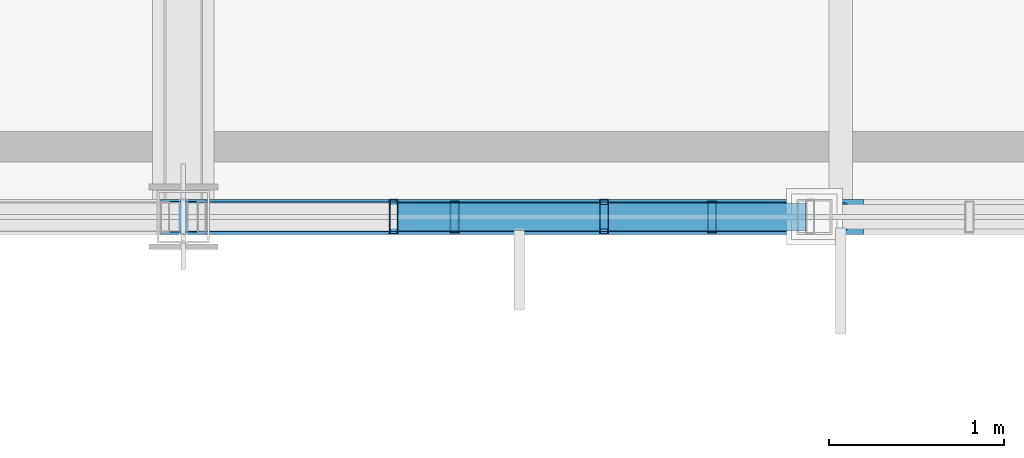
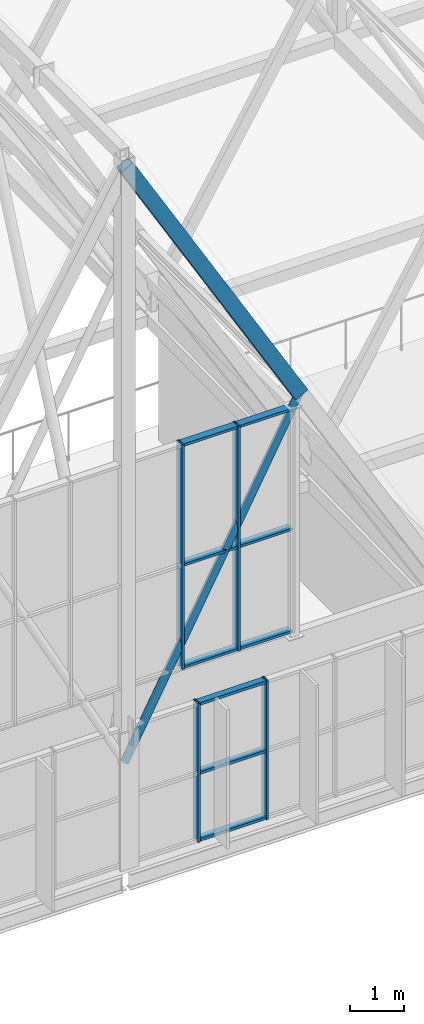
# One storey, part 136 of 324: 15 members, 2 elements without a shape of their own.
"""IFC4 building model written with IfcOpenShell, lengths in metres."""

from ifc_helpers import new_model, si_unit, direction, frame, origin, origin_2d, place, context, subcontext, project, spatial, hollow_rectangle, hollow_circle, extrude, material, layer, layer_set, material_profile, profile_set, type_object, element, aggregate, save


model = new_model("IFC4")

# Units and contexts
model_context = context("Model", 3, precision=1e-05, world=origin(), true_north=direction((0.0, 1.0)))
body_context = subcontext(model_context, "Body", "Model", "MODEL_VIEW")
ifc_project = project(units=[si_unit("LENGTHUNIT", "METRE"), si_unit("AREAUNIT", "SQUARE_METRE"), si_unit("VOLUMEUNIT", "CUBIC_METRE"), si_unit("PLANEANGLEUNIT", "RADIAN"), si_unit("MASSUNIT", "GRAM", prefix="KILO")], contexts=[model_context])

# Site, building, storey
site_placement = place(None, origin())
site = spatial("IfcSite", under=ifc_project, at=site_placement, CompositionType="ELEMENT")
building_placement = place(site_placement, origin())
building = spatial("IfcBuilding", under=site, at=building_placement, Name="Solvenia Promenade Tram Depot", CompositionType="ELEMENT")
storey_placement = place(building_placement, frame((0.0, 0.0, 4.5)))
storey = spatial("IfcBuildingStorey", under=building, at=storey_placement, Name="L01", CompositionType="ELEMENT", Elevation=4.5)

# Curtain wall, members
ifc_material_1 = material(Name="Anodized aluminium AW-6063 T6", Category="aluminium")
ifc_layer_1 = layer(ifc_material_1, 0.159912109375, Name="Anodized aluminium AW-6063 T6", Category="aluminium")
ifc_layer_set_1 = layer_set([ifc_layer_1], Name="Anodized aluminium AW-6063 T6")
curtain_wall_type_1 = type_object("IfcCurtainWallType", Name="CW-Channel-1500", PredefinedType="NOTDEFINED", material=ifc_layer_set_1)
curtain_wall_1_placement = place(storey_placement, origin())
curtain_wall_1 = element("IfcCurtainWall", 1, at=curtain_wall_1_placement, inside=storey, type_object=curtain_wall_type_1, Name="Curtain Wall CW-V1S1-08", PredefinedType="NOTDEFINED")
ifc_material_profile_1 = material_profile(ifc_material_1, hollow_rectangle(XDim=0.179931640625, YDim=0.050048828125, WallThickness=0.00390625, at=origin_2d()), Name="ALU-M2", Category="aluminium")
ifc_profile_set_1 = profile_set([ifc_material_profile_1], Name="Anodized aluminium AW-6063 T6")
member_type_1 = type_object("IfcMemberType", Name="CWM-Mullion-2", PredefinedType="MULLION", material=ifc_profile_set_1)
member_1_placement = place(storey_placement, frame((99.048095703125, 66.0, 0.0), z_axis=(0.0, 0.0, 1.0), x_axis=(0.0, 1.0, 0.0)))
member_1 = element("IfcMember", 2, at=member_1_placement, type_object=member_type_1, Name="CW-2 mullion 2", PredefinedType="MULLION", context=body_context, shape_type="SweptSolid", body=[
    extrude(hollow_rectangle(XDim=0.179931640625, YDim=0.050048828125, WallThickness=0.00390625, at=origin_2d()), origin(), (0.0, 0.0, 1.0), 3.14990234375),
])
member_2_placement = place(storey_placement, frame((100.51611328125, 66.0, 0.0), z_axis=(0.0, 0.0, 1.0), x_axis=(0.0, 1.0, 0.0)))
member_2 = element("IfcMember", 3, at=member_2_placement, type_object=member_type_1, Name="CW-2 mullion 3", PredefinedType="MULLION", context=body_context, shape_type="SweptSolid", body=[
    extrude(hollow_rectangle(XDim=0.179931640625, YDim=0.050048828125, WallThickness=0.00390625, at=origin_2d()), origin(), (0.0, 0.0, 1.0), 3.14990234375),
])

ifc_layer_2 = layer(ifc_material_1, 0.14990234375, Name="Anodized aluminium AW-6063 T6", Category="aluminium")
ifc_layer_set_2 = layer_set([ifc_layer_2], Name="Anodized aluminium AW-6063 T6")
curtain_wall_type_2 = type_object("IfcCurtainWallType", Name="CW-Gable-1200", PredefinedType="NOTDEFINED", material=ifc_layer_set_2)
curtain_wall_2_placement = place(storey_placement, origin())
curtain_wall_2 = element("IfcCurtainWall", 4, at=curtain_wall_2_placement, inside=storey, type_object=curtain_wall_type_2, Name="South Zigzag Gable 07 Peak Glazing", PredefinedType="NOTDEFINED")
ifc_material_profile_2 = material_profile(ifc_material_1, hollow_rectangle(XDim=0.199951171875, YDim=0.048095703125, WallThickness=0.00390625, at=origin_2d()), Name="ALU-M3", Category="aluminium")
ifc_profile_set_2 = profile_set([ifc_material_profile_2], Name="Anodized aluminium AW-6063 T6")
member_type_2 = type_object("IfcMemberType", Name="CWM-Mullion-3", PredefinedType="MULLION", material=ifc_profile_set_2)
member_3_placement = place(storey_placement, frame((98.699951171875, 66.0, 4.050048828125), z_axis=(0.0, 0.0, 1.0), x_axis=(0.0, 1.0, 0.0)))
member_3 = element("IfcMember", 5, at=member_3_placement, type_object=member_type_2, Name="CW-3 mullion 5", PredefinedType="MULLION", context=body_context, shape_type="SweptSolid", body=[
    extrude(hollow_rectangle(XDim=0.199951171875, YDim=0.048095703125, WallThickness=0.00390625, at=origin_2d()), origin(), (0.0, 0.0, 1.0), 5.099853515625),
])
member_4_placement = place(storey_placement, frame((99.89990234375, 66.0, 4.050048828125), z_axis=(0.0, 0.0, 1.0), x_axis=(0.0, 1.0, 0.0)))
member_4 = element("IfcMember", 6, at=member_4_placement, type_object=member_type_2, Name="CW-3 mullion 6", PredefinedType="MULLION", context=body_context, shape_type="SweptSolid", body=[
    extrude(hollow_rectangle(XDim=0.199951171875, YDim=0.048095703125, WallThickness=0.00390625, at=origin_2d()), origin(), (0.0, 0.0, 1.0), 5.099853515625),
])

# Member
ifc_material_profile_3 = material_profile(ifc_material_1, hollow_rectangle(XDim=0.139892578125, YDim=0.06494140625, WallThickness=0.00390625, at=origin_2d()), Name="ALU-T2", Category="aluminium")
ifc_profile_set_3 = profile_set([ifc_material_profile_3], Name="Anodized aluminium AW-6063 T6")
member_type_3 = type_object("IfcMemberType", Name="CWT-Transom-2", PredefinedType="USERDEFINED", material=ifc_profile_set_3)
member_5_placement = place(storey_placement, frame((99.072998046875, 66.0, 0.032470703125), z_axis=(1.0, 0.0, 0.0), x_axis=(0.0, 1.0, 0.0)))
member_5 = element("IfcMember", 7, at=member_5_placement, type_object=member_type_3, Name="CW-2 transom 2.1", ObjectType="TRANSOM", PredefinedType="USERDEFINED", context=body_context, shape_type="SweptSolid", body=[
    extrude(hollow_rectangle(XDim=0.139892578125, YDim=0.06494140625, WallThickness=0.00390625, at=origin_2d()), origin(), (0.0, 0.0, 1.0), 1.41796875),
])

member_6_placement = place(storey_placement, frame((99.072998046875, 66.0, 1.550048828125), z_axis=(1.0, 0.0, 0.0), x_axis=(0.0, 1.0, 0.0)))
member_6 = element("IfcMember", 8, at=member_6_placement, type_object=member_type_3, Name="CW-2 transom 2.2", ObjectType="TRANSOM", PredefinedType="USERDEFINED", context=body_context, shape_type="SweptSolid", body=[
    extrude(hollow_rectangle(XDim=0.139892578125, YDim=0.06494140625, WallThickness=0.00390625, at=origin_2d()), origin(), (0.0, 0.0, 1.0), 1.41796875),
])

member_7_placement = place(storey_placement, frame((99.072998046875, 66.0, 3.117431640625), z_axis=(1.0, 0.0, 0.0), x_axis=(0.0, 1.0, 0.0)))
member_7 = element("IfcMember", 9, at=member_7_placement, type_object=member_type_3, Name="CW-2 transom 2.3", ObjectType="TRANSOM", PredefinedType="USERDEFINED", context=body_context, shape_type="SweptSolid", body=[
    extrude(hollow_rectangle(XDim=0.139892578125, YDim=0.06494140625, WallThickness=0.00390625, at=origin_2d()), origin(), (0.0, 0.0, 1.0), 1.41796875),
])

aggregate(curtain_wall_1, [member_1, member_2, member_5, member_6, member_7])

ifc_material_profile_4 = material_profile(ifc_material_1, hollow_rectangle(XDim=0.159912109375, YDim=0.05810546875, WallThickness=0.00390625, at=origin_2d()), Name="ALU-T3", Category="aluminium")
ifc_profile_set_4 = profile_set([ifc_material_profile_4], Name="Anodized aluminium AW-6063 T6")
member_type_4 = type_object("IfcMemberType", Name="CWT-Transom-3", PredefinedType="USERDEFINED", material=ifc_profile_set_4)
member_8_placement = place(storey_placement, frame((98.72412109375, 66.0, 4.0791015625), z_axis=(1.0, 0.0, 0.0), x_axis=(0.0, 1.0, 0.0)))
member_8 = element("IfcMember", 10, at=member_8_placement, type_object=member_type_4, Name="CW-3 transom 5.1", ObjectType="TRANSOM", PredefinedType="USERDEFINED", context=body_context, shape_type="SweptSolid", body=[
    extrude(hollow_rectangle(XDim=0.159912109375, YDim=0.05810546875, WallThickness=0.00390625, at=origin_2d()), origin(), (0.0, 0.0, 1.0), 1.15185546875),
])

member_9_placement = place(storey_placement, frame((98.72412109375, 66.0, 6.39990234375), z_axis=(1.0, 0.0, 0.0), x_axis=(0.0, 1.0, 0.0)))
member_9 = element("IfcMember", 11, at=member_9_placement, type_object=member_type_4, Name="CW-3 transom 5.2", ObjectType="TRANSOM", PredefinedType="USERDEFINED", context=body_context, shape_type="SweptSolid", body=[
    extrude(hollow_rectangle(XDim=0.159912109375, YDim=0.05810546875, WallThickness=0.00390625, at=origin_2d()), origin(), (0.0, 0.0, 1.0), 1.15185546875),
])

member_10_placement = place(storey_placement, frame((98.72412109375, 66.0, 9.12109375), z_axis=(1.0, 0.0, 0.0), x_axis=(0.0, 1.0, 0.0)))
member_10 = element("IfcMember", 12, at=member_10_placement, type_object=member_type_4, Name="CW-3 transom 5.3", ObjectType="TRANSOM", PredefinedType="USERDEFINED", context=body_context, shape_type="SweptSolid", body=[
    extrude(hollow_rectangle(XDim=0.159912109375, YDim=0.05810546875, WallThickness=0.00390625, at=origin_2d()), origin(), (0.0, 0.0, 1.0), 1.15185546875),
])

member_11_placement = place(storey_placement, frame((99.924072265625, 66.0, 4.0791015625), z_axis=(1.0, 0.0, 0.0), x_axis=(0.0, 1.0, 0.0)))
member_11 = element("IfcMember", 13, at=member_11_placement, type_object=member_type_4, Name="CW-3 transom 6.1", ObjectType="TRANSOM", PredefinedType="USERDEFINED", context=body_context, shape_type="SweptSolid", body=[
    extrude(hollow_rectangle(XDim=0.159912109375, YDim=0.05810546875, WallThickness=0.00390625, at=origin_2d()), origin(), (0.0, 0.0, 1.0), 1.1279296875),
])

member_12_placement = place(storey_placement, frame((99.924072265625, 66.0, 6.39990234375), z_axis=(1.0, 0.0, 0.0), x_axis=(0.0, 1.0, 0.0)))
member_12 = element("IfcMember", 14, at=member_12_placement, type_object=member_type_4, Name="CW-3 transom 6.2", ObjectType="TRANSOM", PredefinedType="USERDEFINED", context=body_context, shape_type="SweptSolid", body=[
    extrude(hollow_rectangle(XDim=0.159912109375, YDim=0.05810546875, WallThickness=0.00390625, at=origin_2d()), origin(), (0.0, 0.0, 1.0), 1.1279296875),
])

member_13_placement = place(storey_placement, frame((99.924072265625, 66.0, 9.12109375), z_axis=(1.0, 0.0, 0.0), x_axis=(0.0, 1.0, 0.0)))
member_13 = element("IfcMember", 15, at=member_13_placement, type_object=member_type_4, Name="CW-3 transom 6.3", ObjectType="TRANSOM", PredefinedType="USERDEFINED", context=body_context, shape_type="SweptSolid", body=[
    extrude(hollow_rectangle(XDim=0.159912109375, YDim=0.05810546875, WallThickness=0.00390625, at=origin_2d()), origin(), (0.0, 0.0, 1.0), 1.1279296875),
])

aggregate(curtain_wall_2, [member_3, member_4, member_8, member_9, member_10, member_11, member_12, member_13])

# Members
ifc_material_2 = material(Name="Structural steel ASTM A500 Gr. C", Category="steel")
ifc_material_profile_5 = material_profile(ifc_material_2, hollow_rectangle(XDim=0.199951171875, YDim=0.300048828125, WallThickness=0.012451171875, at=origin_2d()), Name="HSS300x200x12.5", Category="steel")
ifc_profile_set_5 = profile_set([ifc_material_profile_5], Name="Structural steel ASTM A500 Gr. C")
member_type_5 = type_object("IfcMemberType", Name="Chord-HSS300x200x12", PredefinedType="CHORD", material=ifc_profile_set_5)
member_14_placement = place(storey_placement, frame((97.5, 66.0, 15.859130859375), z_axis=(0.501516268578, 0.0, -0.865148214095), x_axis=(0.0, 1.0, 0.0)))
element("IfcMember", 16, at=member_14_placement, inside=storey, type_object=member_type_5, Name="Zigzag Gable 07 East Upper Rafter", PredefinedType="CHORD", context=body_context, shape_type="SweptSolid", body=[
    extrude(hollow_rectangle(XDim=0.199951171875, YDim=0.300048828125, WallThickness=0.012451171875, at=origin_2d()), origin(), (0.0, 0.0, 1.0), 7.477294921875),
])
ifc_material_profile_6 = material_profile(ifc_material_2, hollow_circle(Radius=0.084228515625, WallThickness=0.008056640625, at=origin_2d()), Name="CHS168.3x8", Category="steel")
ifc_profile_set_6 = profile_set([ifc_material_profile_6], Name="Structural steel ASTM A500 Gr. C")
member_type_6 = type_object("IfcMemberType", Name="WebDiag-CHS168x8", PredefinedType="BRACE", material=ifc_profile_set_6)
member_15_placement = place(storey_placement, frame((97.5, 66.0, 2.320068359375), z_axis=(0.468572976528, 0.0, 0.883424793442), x_axis=(0.0, 1.0, 0.0)))
element("IfcMember", 17, at=member_15_placement, inside=storey, type_object=member_type_6, Name="Zigzag Gable 07 East Knee Strut", PredefinedType="BRACE", context=body_context, shape_type="SweptSolid", body=[
    extrude(hollow_circle(Radius=0.084228515625, WallThickness=0.008056640625, at=origin_2d()), origin(), (0.0, 0.0, 1.0), 8.0029296875),
])

save(model, "model.ifc")
